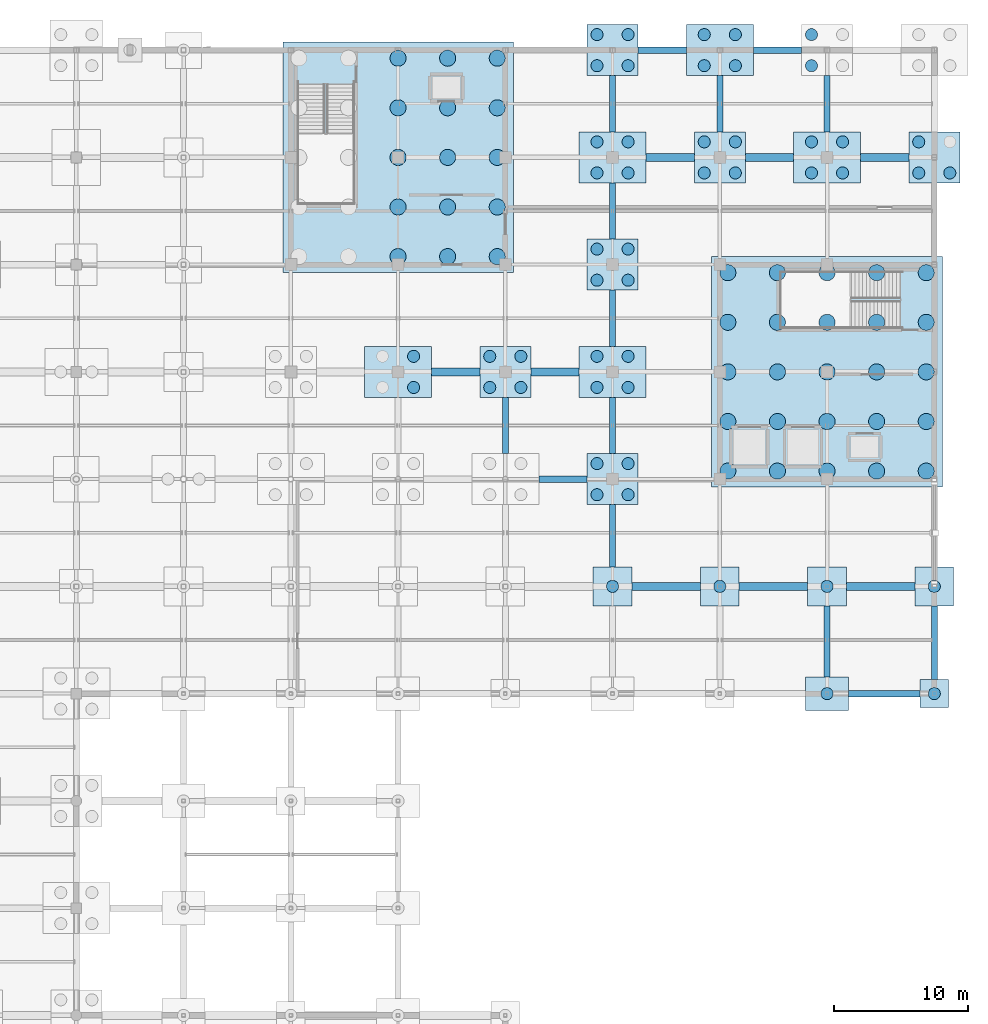
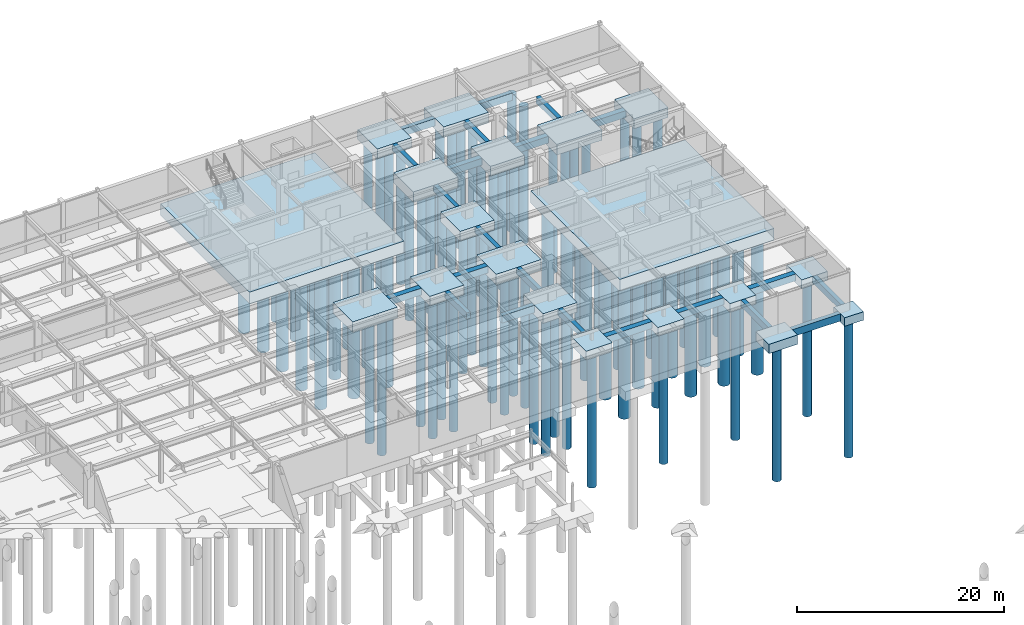
# One storey, part 11 of 105: 89 piles, 41 footings.
"""IFC4 building model written with IfcOpenShell, lengths in metres."""

from ifc_helpers import new_model, si_unit, direction, frame, origin, origin_2d, place, context, subcontext, project, spatial, rectangle, circle, extrude, material, material_profile, profile_set, type_object, element, save


model = new_model("IFC4")

# Units and contexts
model_context = context("Model", 3, precision=1e-05, world=origin(), true_north=direction((0.0, 1.0)))
body_context = subcontext(model_context, "Body", "Model", "MODEL_VIEW")
ifc_project = project(units=[si_unit("LENGTHUNIT", "METRE"), si_unit("AREAUNIT", "SQUARE_METRE"), si_unit("VOLUMEUNIT", "CUBIC_METRE"), si_unit("PLANEANGLEUNIT", "RADIAN"), si_unit("MASSUNIT", "GRAM", prefix="KILO")], contexts=[model_context])

# Site, building, storey
site_placement = place(None, origin())
site = spatial("IfcSite", under=ifc_project, at=site_placement, CompositionType="ELEMENT")
building_placement = place(site_placement, origin())
building = spatial("IfcBuilding", under=site, at=building_placement, Name="Solmirada Galleria", CompositionType="ELEMENT")
storey_placement = place(building_placement, frame((0.0, 0.0, -4.800048828125)))
storey = spatial("IfcBuildingStorey", under=building, at=storey_placement, Name="B1", CompositionType="ELEMENT", Elevation=-4.800048828125)

# Footings
ifc_material_1 = material(Name="Concrete C35/45", Category="concrete")
footing_type_1 = type_object("IfcFootingType", Name="PC-01", PredefinedType="PILE_CAP", material=ifc_material_1)
footing_1_placement = place(storey_placement, frame((176.0, 72.0, -1.0), z_axis=(0.0, 0.0, 1.0), x_axis=(1.0, 0.0, 0.0)))
element("IfcFooting", 1, at=footing_1_placement, inside=storey, type_object=footing_type_1, Name="Pile cap at (176.0, 72.0)", PredefinedType="PILE_CAP", context=body_context, shape_type="SweptSolid", body=[
    extrude(rectangle(XDim=2.10009765625, YDim=2.10009765625, at=origin_2d()), origin(), (0.0, 0.0, 1.0), 1.0),
])
footing_type_2 = type_object("IfcFootingType", Name="PC-03", PredefinedType="PILE_CAP", material=ifc_material_1)
for number, where, z_axis, x_axis, name in (
    (2, (152.0, 80.0, -1.0498046875), (0.0, 0.0, 1.0), (1.0, 0.0, 0.0), "Pile cap at (152.0, 80.0)"),
    (3, (160.0, 80.0, -1.0498046875), (0.0, 0.0, 1.0), (1.0, 0.0, 0.0), "Pile cap at (160.0, 80.0)"),
    (4, (168.0, 80.0, -1.0498046875), (0.0, 0.0, 1.0), (1.0, 0.0, 0.0), "Pile cap at (168.0, 80.0)"),
    (5, (176.0, 80.0, -1.0498046875), (0.0, 0.0, 1.0), (1.0, 0.0, 0.0), "Pile cap at (176.0, 80.0)"),
):
    element("IfcFooting", number, at=place(storey_placement, frame(where, z_axis=z_axis, x_axis=x_axis)), inside=storey, type_object=footing_type_2, Name=name, PredefinedType="PILE_CAP", context=body_context, shape_type="SweptSolid", body=[
        extrude(rectangle(XDim=2.89990234375, YDim=2.89990234375, at=origin_2d()), origin(), (0.0, 0.0, 1.0), 1.050048828125),
    ])
footing_type_3 = type_object("IfcFootingType", Name="PC-05", PredefinedType="PILE_CAP", material=ifc_material_1)
for number, where, z_axis, x_axis, name in (
    (6, (144.0, 96.0, -1.14990234375), (0.0, 0.0, 1.0), (1.0, 0.0, 0.0), "Pile cap at (144.0, 96.0)"),
    (7, (152.0, 88.0, -1.14990234375), (0.0, 0.0, 1.0), (1.0, 0.0, 0.0), "Pile cap at (152.0, 88.0)"),
    (8, (152.0, 104.0, -1.14990234375), (0.0, 0.0, 1.0), (1.0, 0.0, 0.0), "Pile cap at (152.0, 104.0)"),
    (9, (152.0, 120.0, -1.14990234375), (0.0, 0.0, 1.0), (1.0, 0.0, 0.0), "Pile cap at (152.0, 120.0)"),
    (10, (160.0, 112.0, -1.14990234375), (0.0, 0.0, 1.0), (1.0, 0.0, 0.0), "Pile cap at (160.0, 112.0)"),
    (11, (176.0, 112.0, -1.14990234375), (0.0, 0.0, 1.0), (1.0, 0.0, 0.0), "Pile cap at (176.0, 112.0)"),
):
    element("IfcFooting", number, at=place(storey_placement, frame(where, z_axis=z_axis, x_axis=x_axis)), inside=storey, type_object=footing_type_3, Name=name, PredefinedType="PILE_CAP", context=body_context, shape_type="SweptSolid", body=[
        extrude(rectangle(XDim=3.800048828125, YDim=3.800048828125, at=origin_2d()), origin(), (0.0, 0.0, 1.0), 1.14990234375),
    ])
footing_type_4 = type_object("IfcFootingType", Name="PC-09", PredefinedType="PILE_CAP", material=ifc_material_1)
for number, where, z_axis, x_axis, name in (
    (12, (136.0, 96.0, -1.25), (0.0, 0.0, 1.0), (1.0, 0.0, 0.0), "Pile cap at (136.0, 96.0)"),
    (13, (152.0, 96.0, -1.25), (0.0, 0.0, 1.0), (1.0, 0.0, 0.0), "Pile cap at (152.0, 96.0)"),
    (14, (152.0, 112.0, -1.25), (0.0, 0.0, 1.0), (1.0, 0.0, 0.0), "Pile cap at (152.0, 112.0)"),
    (15, (160.0, 120.0, -1.25), (0.0, 0.0, 1.0), (1.0, 0.0, 0.0), "Pile cap at (160.0, 120.0)"),
    (16, (168.0, 112.0, -1.25), (0.0, 0.0, 1.0), (1.0, 0.0, 0.0), "Pile cap at (168.0, 112.0)"),
):
    element("IfcFooting", number, at=place(storey_placement, frame(where, z_axis=z_axis, x_axis=x_axis)), inside=storey, type_object=footing_type_4, Name=name, PredefinedType="PILE_CAP", context=body_context, shape_type="SweptSolid", body=[
        extrude(rectangle(XDim=5.0, YDim=3.800048828125, at=origin_2d()), origin(), (0.0, 0.0, 1.0), 1.25),
    ])
footing_type_5 = type_object("IfcFootingType", Name="PC-10", PredefinedType="PILE_CAP", material=ifc_material_1)
footing_2_placement = place(storey_placement, frame((168.0, 72.0, -1.10009765625), z_axis=(0.0, 0.0, 1.0), x_axis=(1.0, 0.0, 0.0)))
element("IfcFooting", 17, at=footing_2_placement, inside=storey, type_object=footing_type_5, Name="Pile cap at (168.0, 72.0)", PredefinedType="PILE_CAP", context=body_context, shape_type="SweptSolid", body=[
    extrude(rectangle(XDim=3.199951171875, YDim=2.5, at=origin_2d()), origin(), (0.0, 0.0, 1.0), 1.10009765625),
])
footing_type_6 = type_object("IfcFootingType", Name="PC-13", PredefinedType="PILE_CAP", material=ifc_material_1)
footing_3_placement = place(storey_placement, frame((136.0, 112.0, -1.39990234375), z_axis=(0.0, 0.0, 1.0), x_axis=(1.0, 0.0, 0.0)))
element("IfcFooting", 18, at=footing_3_placement, inside=storey, type_object=footing_type_6, Name="North Avenue High-Rise Core combined pile cap", PredefinedType="PILE_CAP", context=body_context, shape_type="SweptSolid", body=[
    extrude(rectangle(XDim=17.199951171875, YDim=17.199951171875, at=origin_2d()), origin(), (0.0, 0.0, 1.0), 1.39990234375),
])
footing_type_7 = type_object("IfcFootingType", Name="PC-14", PredefinedType="PILE_CAP", material=ifc_material_1)
footing_4_placement = place(storey_placement, frame((168.0, 96.0, -1.39990234375), z_axis=(0.0, 0.0, 1.0), x_axis=(1.0, 0.0, 0.0)))
element("IfcFooting", 19, at=footing_4_placement, inside=storey, type_object=footing_type_7, Name="East Avenue High-Rise and Freight Core combined pile cap", PredefinedType="PILE_CAP", context=body_context, shape_type="SweptSolid", body=[
    extrude(rectangle(XDim=17.199951171875, YDim=17.199951171875, at=origin_2d()), origin(), (0.0, 0.0, 1.0), 1.39990234375),
])

# Piles
ifc_material_2 = material(Name="Concrete C40/50", Category="concrete")
ifc_material_profile_1 = material_profile(ifc_material_2, circle(Radius=0.60009765625, at=origin_2d()), Name="PILE1200")
ifc_profile_set_1 = profile_set([ifc_material_profile_1], Name="Concrete C40/50")
pile_type_1 = type_object("IfcPileType", Name="PILE-1200", PredefinedType="BORED", material=ifc_profile_set_1)
for number, where, z_axis, x_axis, name in (
    (20, (136.0, 104.60009765625, -1.300048828125), (0.0, 0.0, -1.0), (1.0, 0.0, 0.0), "Tampa limestone bored pile C3-11"),
    (21, (136.0, 108.300048828125, -1.300048828125), (0.0, 0.0, -1.0), (1.0, 0.0, 0.0), "Tampa limestone bored pile C3-12"),
    (22, (136.0, 112.0, -1.300048828125), (0.0, 0.0, -1.0), (1.0, 0.0, 0.0), "Tampa limestone bored pile C3-13"),
    (23, (136.0, 115.699951171875, -1.300048828125), (0.0, 0.0, -1.0), (1.0, 0.0, 0.0), "Tampa limestone bored pile C3-14"),
    (24, (136.0, 119.39990234375, -1.300048828125), (0.0, 0.0, -1.0), (1.0, 0.0, 0.0), "Tampa limestone bored pile C3-15"),
    (25, (139.699951171875, 104.60009765625, -1.300048828125), (0.0, 0.0, -1.0), (1.0, 0.0, 0.0), "Tampa limestone bored pile C3-16"),
    (26, (139.699951171875, 108.300048828125, -1.300048828125), (0.0, 0.0, -1.0), (1.0, 0.0, 0.0), "Tampa limestone bored pile C3-17"),
    (27, (139.699951171875, 112.0, -1.300048828125), (0.0, 0.0, -1.0), (1.0, 0.0, 0.0), "Tampa limestone bored pile C3-18"),
    (28, (139.699951171875, 115.699951171875, -1.300048828125), (0.0, 0.0, -1.0), (1.0, 0.0, 0.0), "Tampa limestone bored pile C3-19"),
    (29, (139.699951171875, 119.39990234375, -1.300048828125), (0.0, 0.0, -1.0), (1.0, 0.0, 0.0), "Tampa limestone bored pile C3-20"),
    (30, (143.39990234375, 104.60009765625, -1.300048828125), (0.0, 0.0, -1.0), (1.0, 0.0, 0.0), "Tampa limestone bored pile C3-21"),
    (31, (143.39990234375, 108.300048828125, -1.300048828125), (0.0, 0.0, -1.0), (1.0, 0.0, 0.0), "Tampa limestone bored pile C3-22"),
    (32, (143.39990234375, 112.0, -1.300048828125), (0.0, 0.0, -1.0), (1.0, 0.0, 0.0), "Tampa limestone bored pile C3-23"),
    (33, (143.39990234375, 115.699951171875, -1.300048828125), (0.0, 0.0, -1.0), (1.0, 0.0, 0.0), "Tampa limestone bored pile C3-24"),
    (34, (143.39990234375, 119.39990234375, -1.300048828125), (0.0, 0.0, -1.0), (1.0, 0.0, 0.0), "Tampa limestone bored pile C3-25"),
    (35, (160.60009765625, 88.60009765625, -1.300048828125), (0.0, 0.0, -1.0), (1.0, 0.0, 0.0), "Tampa limestone bored pile C4-01"),
    (36, (160.60009765625, 92.300048828125, -1.300048828125), (0.0, 0.0, -1.0), (1.0, 0.0, 0.0), "Tampa limestone bored pile C4-02"),
    (37, (160.60009765625, 96.0, -1.300048828125), (0.0, 0.0, -1.0), (1.0, 0.0, 0.0), "Tampa limestone bored pile C4-03"),
    (38, (160.60009765625, 99.699951171875, -1.300048828125), (0.0, 0.0, -1.0), (1.0, 0.0, 0.0), "Tampa limestone bored pile C4-04"),
    (39, (160.60009765625, 103.39990234375, -1.300048828125), (0.0, 0.0, -1.0), (1.0, 0.0, 0.0), "Tampa limestone bored pile C4-05"),
    (40, (164.300048828125, 88.60009765625, -1.300048828125), (0.0, 0.0, -1.0), (1.0, 0.0, 0.0), "Tampa limestone bored pile C4-06"),
    (41, (164.300048828125, 92.300048828125, -1.300048828125), (0.0, 0.0, -1.0), (1.0, 0.0, 0.0), "Tampa limestone bored pile C4-07"),
    (42, (164.300048828125, 96.0, -1.300048828125), (0.0, 0.0, -1.0), (1.0, 0.0, 0.0), "Tampa limestone bored pile C4-08"),
    (43, (164.300048828125, 99.699951171875, -1.300048828125), (0.0, 0.0, -1.0), (1.0, 0.0, 0.0), "Tampa limestone bored pile C4-09"),
    (44, (164.300048828125, 103.39990234375, -1.300048828125), (0.0, 0.0, -1.0), (1.0, 0.0, 0.0), "Tampa limestone bored pile C4-10"),
    (45, (168.0, 88.60009765625, -1.300048828125), (0.0, 0.0, -1.0), (1.0, 0.0, 0.0), "Tampa limestone bored pile C4-11"),
    (46, (168.0, 92.300048828125, -1.300048828125), (0.0, 0.0, -1.0), (1.0, 0.0, 0.0), "Tampa limestone bored pile C4-12"),
    (47, (168.0, 96.0, -1.300048828125), (0.0, 0.0, -1.0), (1.0, 0.0, 0.0), "Tampa limestone bored pile C4-13"),
    (48, (168.0, 99.699951171875, -1.300048828125), (0.0, 0.0, -1.0), (1.0, 0.0, 0.0), "Tampa limestone bored pile C4-14"),
    (49, (168.0, 103.39990234375, -1.300048828125), (0.0, 0.0, -1.0), (1.0, 0.0, 0.0), "Tampa limestone bored pile C4-15"),
    (50, (171.699951171875, 88.60009765625, -1.300048828125), (0.0, 0.0, -1.0), (1.0, 0.0, 0.0), "Tampa limestone bored pile C4-16"),
    (51, (171.699951171875, 92.300048828125, -1.300048828125), (0.0, 0.0, -1.0), (1.0, 0.0, 0.0), "Tampa limestone bored pile C4-17"),
    (52, (171.699951171875, 96.0, -1.300048828125), (0.0, 0.0, -1.0), (1.0, 0.0, 0.0), "Tampa limestone bored pile C4-18"),
    (53, (171.699951171875, 99.699951171875, -1.300048828125), (0.0, 0.0, -1.0), (1.0, 0.0, 0.0), "Tampa limestone bored pile C4-19"),
    (54, (171.699951171875, 103.39990234375, -1.300048828125), (0.0, 0.0, -1.0), (1.0, 0.0, 0.0), "Tampa limestone bored pile C4-20"),
    (55, (175.39990234375, 88.60009765625, -1.300048828125), (0.0, 0.0, -1.0), (1.0, 0.0, 0.0), "Tampa limestone bored pile C4-21"),
    (56, (175.39990234375, 92.300048828125, -1.300048828125), (0.0, 0.0, -1.0), (1.0, 0.0, 0.0), "Tampa limestone bored pile C4-22"),
    (57, (175.39990234375, 96.0, -1.300048828125), (0.0, 0.0, -1.0), (1.0, 0.0, 0.0), "Tampa limestone bored pile C4-23"),
    (58, (175.39990234375, 99.699951171875, -1.300048828125), (0.0, 0.0, -1.0), (1.0, 0.0, 0.0), "Tampa limestone bored pile C4-24"),
    (59, (175.39990234375, 103.39990234375, -1.300048828125), (0.0, 0.0, -1.0), (1.0, 0.0, 0.0), "Tampa limestone bored pile C4-25"),
):
    element("IfcPile", number, at=place(storey_placement, frame(where, z_axis=z_axis, x_axis=x_axis)), inside=storey, type_object=pile_type_1, Name=name, PredefinedType="BORED", context=body_context, shape_type="SweptSolid", body=[
        extrude(circle(Radius=0.60009765625, at=origin_2d()), origin(), (0.0, 0.0, 1.0), 15.89990234375),
    ])
ifc_material_profile_2 = material_profile(ifc_material_2, circle(Radius=0.449951171875, at=origin_2d()), Name="PILE900")
ifc_profile_set_2 = profile_set([ifc_material_profile_2], Name="Concrete C40/50")
pile_type_2 = type_object("IfcPileType", Name="PILE-900", PredefinedType="BORED", material=ifc_profile_set_2)
for number, where, z_axis, x_axis, name in (
    (60, (137.159912109375, 94.840087890625, -1.14990234375), (0.0, 0.0, -1.0), (1.0, 0.0, 0.0), "Bored pile at (137.16, 94.84)"),
    (61, (137.159912109375, 97.159912109375, -1.14990234375), (0.0, 0.0, -1.0), (1.0, 0.0, 0.0), "Bored pile at (137.16, 97.16)"),
):
    element("IfcPile", number, at=place(storey_placement, frame(where, z_axis=z_axis, x_axis=x_axis)), inside=storey, type_object=pile_type_2, Name=name, PredefinedType="BORED", context=body_context, shape_type="SweptSolid", body=[
        extrude(circle(Radius=0.449951171875, at=origin_2d()), origin(), (0.0, 0.0, 1.0), 16.050048828125),
    ])
for number, where, z_axis, x_axis, name in (
    (62, (142.840087890625, 94.840087890625, -1.050048828125), (0.0, 0.0, -1.0), (1.0, 0.0, 0.0), "Bored pile at (142.84, 94.84)"),
    (63, (145.159912109375, 94.840087890625, -1.050048828125), (0.0, 0.0, -1.0), (1.0, 0.0, 0.0), "Bored pile at (145.16, 94.84)"),
    (64, (142.840087890625, 97.159912109375, -1.050048828125), (0.0, 0.0, -1.0), (1.0, 0.0, 0.0), "Bored pile at (142.84, 97.16)"),
    (65, (145.159912109375, 97.159912109375, -1.050048828125), (0.0, 0.0, -1.0), (1.0, 0.0, 0.0), "Bored pile at (145.16, 97.16)"),
):
    element("IfcPile", number, at=place(storey_placement, frame(where, z_axis=z_axis, x_axis=x_axis)), inside=storey, type_object=pile_type_2, Name=name, PredefinedType="BORED", context=body_context, shape_type="SweptSolid", body=[
        extrude(circle(Radius=0.449951171875, at=origin_2d()), origin(), (0.0, 0.0, 1.0), 16.14990234375),
    ])
pile_1_placement = place(storey_placement, frame((152.0, 80.0, -0.949951171875), z_axis=(0.0, 0.0, -1.0), x_axis=(1.0, 0.0, 0.0)))
element("IfcPile", 66, at=pile_1_placement, inside=storey, type_object=pile_type_2, Name="Bored pile at (152.00, 80.00)", PredefinedType="BORED", context=body_context, shape_type="SweptSolid", body=[
    extrude(circle(Radius=0.449951171875, at=origin_2d()), origin(), (0.0, 0.0, 1.0), 16.25),
])
for number, where, z_axis, x_axis, name in (
    (67, (150.840087890625, 86.840087890625, -1.050048828125), (0.0, 0.0, -1.0), (1.0, 0.0, 0.0), "Bored pile at (150.84, 86.84)"),
    (68, (153.159912109375, 86.840087890625, -1.050048828125), (0.0, 0.0, -1.0), (1.0, 0.0, 0.0), "Bored pile at (153.16, 86.84)"),
    (69, (150.840087890625, 89.159912109375, -1.050048828125), (0.0, 0.0, -1.0), (1.0, 0.0, 0.0), "Bored pile at (150.84, 89.16)"),
    (70, (153.159912109375, 89.159912109375, -1.050048828125), (0.0, 0.0, -1.0), (1.0, 0.0, 0.0), "Bored pile at (153.16, 89.16)"),
):
    element("IfcPile", number, at=place(storey_placement, frame(where, z_axis=z_axis, x_axis=x_axis)), inside=storey, type_object=pile_type_2, Name=name, PredefinedType="BORED", context=body_context, shape_type="SweptSolid", body=[
        extrude(circle(Radius=0.449951171875, at=origin_2d()), origin(), (0.0, 0.0, 1.0), 16.14990234375),
    ])
for number, where, z_axis, x_axis, name in (
    (71, (150.840087890625, 94.840087890625, -1.14990234375), (0.0, 0.0, -1.0), (1.0, 0.0, 0.0), "Bored pile at (150.84, 94.84)"),
    (72, (153.159912109375, 94.840087890625, -1.14990234375), (0.0, 0.0, -1.0), (1.0, 0.0, 0.0), "Bored pile at (153.16, 94.84)"),
    (73, (150.840087890625, 97.159912109375, -1.14990234375), (0.0, 0.0, -1.0), (1.0, 0.0, 0.0), "Bored pile at (150.84, 97.16)"),
    (74, (153.159912109375, 97.159912109375, -1.14990234375), (0.0, 0.0, -1.0), (1.0, 0.0, 0.0), "Bored pile at (153.16, 97.16)"),
):
    element("IfcPile", number, at=place(storey_placement, frame(where, z_axis=z_axis, x_axis=x_axis)), inside=storey, type_object=pile_type_2, Name=name, PredefinedType="BORED", context=body_context, shape_type="SweptSolid", body=[
        extrude(circle(Radius=0.449951171875, at=origin_2d()), origin(), (0.0, 0.0, 1.0), 16.050048828125),
    ])
for number, where, z_axis, x_axis, name in (
    (75, (150.840087890625, 102.840087890625, -1.050048828125), (0.0, 0.0, -1.0), (1.0, 0.0, 0.0), "Bored pile at (150.84, 102.84)"),
    (76, (153.159912109375, 102.840087890625, -1.050048828125), (0.0, 0.0, -1.0), (1.0, 0.0, 0.0), "Bored pile at (153.16, 102.84)"),
    (77, (150.840087890625, 105.159912109375, -1.050048828125), (0.0, 0.0, -1.0), (1.0, 0.0, 0.0), "Bored pile at (150.84, 105.16)"),
    (78, (153.159912109375, 105.159912109375, -1.050048828125), (0.0, 0.0, -1.0), (1.0, 0.0, 0.0), "Bored pile at (153.16, 105.16)"),
):
    element("IfcPile", number, at=place(storey_placement, frame(where, z_axis=z_axis, x_axis=x_axis)), inside=storey, type_object=pile_type_2, Name=name, PredefinedType="BORED", context=body_context, shape_type="SweptSolid", body=[
        extrude(circle(Radius=0.449951171875, at=origin_2d()), origin(), (0.0, 0.0, 1.0), 16.14990234375),
    ])
for number, where, z_axis, x_axis, name in (
    (79, (150.840087890625, 110.840087890625, -1.14990234375), (0.0, 0.0, -1.0), (1.0, 0.0, 0.0), "Bored pile at (150.84, 110.84)"),
    (80, (153.159912109375, 110.840087890625, -1.14990234375), (0.0, 0.0, -1.0), (1.0, 0.0, 0.0), "Bored pile at (153.16, 110.84)"),
    (81, (150.840087890625, 113.159912109375, -1.14990234375), (0.0, 0.0, -1.0), (1.0, 0.0, 0.0), "Bored pile at (150.84, 113.16)"),
    (82, (153.159912109375, 113.159912109375, -1.14990234375), (0.0, 0.0, -1.0), (1.0, 0.0, 0.0), "Bored pile at (153.16, 113.16)"),
):
    element("IfcPile", number, at=place(storey_placement, frame(where, z_axis=z_axis, x_axis=x_axis)), inside=storey, type_object=pile_type_2, Name=name, PredefinedType="BORED", context=body_context, shape_type="SweptSolid", body=[
        extrude(circle(Radius=0.449951171875, at=origin_2d()), origin(), (0.0, 0.0, 1.0), 16.050048828125),
    ])
for number, where, z_axis, x_axis, name in (
    (83, (150.840087890625, 118.840087890625, -1.050048828125), (0.0, 0.0, -1.0), (1.0, 0.0, 0.0), "Bored pile at (150.84, 118.84)"),
    (84, (153.159912109375, 118.840087890625, -1.050048828125), (0.0, 0.0, -1.0), (1.0, 0.0, 0.0), "Bored pile at (153.16, 118.84)"),
    (85, (150.840087890625, 121.159912109375, -1.050048828125), (0.0, 0.0, -1.0), (1.0, 0.0, 0.0), "Bored pile at (150.84, 121.16)"),
    (86, (153.159912109375, 121.159912109375, -1.050048828125), (0.0, 0.0, -1.0), (1.0, 0.0, 0.0), "Bored pile at (153.16, 121.16)"),
):
    element("IfcPile", number, at=place(storey_placement, frame(where, z_axis=z_axis, x_axis=x_axis)), inside=storey, type_object=pile_type_2, Name=name, PredefinedType="BORED", context=body_context, shape_type="SweptSolid", body=[
        extrude(circle(Radius=0.449951171875, at=origin_2d()), origin(), (0.0, 0.0, 1.0), 16.14990234375),
    ])
pile_2_placement = place(storey_placement, frame((160.0, 80.0, -0.949951171875), z_axis=(0.0, 0.0, -1.0), x_axis=(1.0, 0.0, 0.0)))
element("IfcPile", 87, at=pile_2_placement, inside=storey, type_object=pile_type_2, Name="Bored pile at (160.00, 80.00)", PredefinedType="BORED", context=body_context, shape_type="SweptSolid", body=[
    extrude(circle(Radius=0.449951171875, at=origin_2d()), origin(), (0.0, 0.0, 1.0), 16.25),
])
for number, where, z_axis, x_axis, name in (
    (88, (158.840087890625, 110.840087890625, -1.050048828125), (0.0, 0.0, -1.0), (1.0, 0.0, 0.0), "Bored pile at (158.84, 110.84)"),
    (89, (161.159912109375, 110.840087890625, -1.050048828125), (0.0, 0.0, -1.0), (1.0, 0.0, 0.0), "Bored pile at (161.16, 110.84)"),
    (90, (158.840087890625, 113.159912109375, -1.050048828125), (0.0, 0.0, -1.0), (1.0, 0.0, 0.0), "Bored pile at (158.84, 113.16)"),
    (91, (161.159912109375, 113.159912109375, -1.050048828125), (0.0, 0.0, -1.0), (1.0, 0.0, 0.0), "Bored pile at (161.16, 113.16)"),
):
    element("IfcPile", number, at=place(storey_placement, frame(where, z_axis=z_axis, x_axis=x_axis)), inside=storey, type_object=pile_type_2, Name=name, PredefinedType="BORED", context=body_context, shape_type="SweptSolid", body=[
        extrude(circle(Radius=0.449951171875, at=origin_2d()), origin(), (0.0, 0.0, 1.0), 16.14990234375),
    ])
for number, where, z_axis, x_axis, name in (
    (92, (158.840087890625, 118.840087890625, -1.14990234375), (0.0, 0.0, -1.0), (1.0, 0.0, 0.0), "Bored pile at (158.84, 118.84)"),
    (93, (161.159912109375, 118.840087890625, -1.14990234375), (0.0, 0.0, -1.0), (1.0, 0.0, 0.0), "Bored pile at (161.16, 118.84)"),
    (94, (158.840087890625, 121.159912109375, -1.14990234375), (0.0, 0.0, -1.0), (1.0, 0.0, 0.0), "Bored pile at (158.84, 121.16)"),
    (95, (161.159912109375, 121.159912109375, -1.14990234375), (0.0, 0.0, -1.0), (1.0, 0.0, 0.0), "Bored pile at (161.16, 121.16)"),
):
    element("IfcPile", number, at=place(storey_placement, frame(where, z_axis=z_axis, x_axis=x_axis)), inside=storey, type_object=pile_type_2, Name=name, PredefinedType="BORED", context=body_context, shape_type="SweptSolid", body=[
        extrude(circle(Radius=0.449951171875, at=origin_2d()), origin(), (0.0, 0.0, 1.0), 16.050048828125),
    ])
pile_3_placement = place(storey_placement, frame((168.0, 72.0, -1.0), z_axis=(0.0, 0.0, -1.0), x_axis=(1.0, 0.0, 0.0)))
element("IfcPile", 96, at=pile_3_placement, inside=storey, type_object=pile_type_2, Name="Bored pile at (168.00, 72.00)", PredefinedType="BORED", context=body_context, shape_type="SweptSolid", body=[
    extrude(circle(Radius=0.449951171875, at=origin_2d()), origin(), (0.0, 0.0, 1.0), 16.199951171875),
])
pile_4_placement = place(storey_placement, frame((168.0, 80.0, -0.949951171875), z_axis=(0.0, 0.0, -1.0), x_axis=(1.0, 0.0, 0.0)))
element("IfcPile", 97, at=pile_4_placement, inside=storey, type_object=pile_type_2, Name="Bored pile at (168.00, 80.00)", PredefinedType="BORED", context=body_context, shape_type="SweptSolid", body=[
    extrude(circle(Radius=0.449951171875, at=origin_2d()), origin(), (0.0, 0.0, 1.0), 16.25),
])
for number, where, z_axis, x_axis, name in (
    (98, (166.840087890625, 110.840087890625, -1.14990234375), (0.0, 0.0, -1.0), (1.0, 0.0, 0.0), "Bored pile at (166.84, 110.84)"),
    (99, (169.159912109375, 110.840087890625, -1.14990234375), (0.0, 0.0, -1.0), (1.0, 0.0, 0.0), "Bored pile at (169.16, 110.84)"),
    (100, (166.840087890625, 113.159912109375, -1.14990234375), (0.0, 0.0, -1.0), (1.0, 0.0, 0.0), "Bored pile at (166.84, 113.16)"),
    (101, (169.159912109375, 113.159912109375, -1.14990234375), (0.0, 0.0, -1.0), (1.0, 0.0, 0.0), "Bored pile at (169.16, 113.16)"),
):
    element("IfcPile", number, at=place(storey_placement, frame(where, z_axis=z_axis, x_axis=x_axis)), inside=storey, type_object=pile_type_2, Name=name, PredefinedType="BORED", context=body_context, shape_type="SweptSolid", body=[
        extrude(circle(Radius=0.449951171875, at=origin_2d()), origin(), (0.0, 0.0, 1.0), 16.050048828125),
    ])
for number, where, z_axis, x_axis, name in (
    (102, (166.840087890625, 118.840087890625, -1.050048828125), (0.0, 0.0, -1.0), (1.0, 0.0, 0.0), "Bored pile at (166.84, 118.84)"),
    (103, (166.840087890625, 121.159912109375, -1.050048828125), (0.0, 0.0, -1.0), (1.0, 0.0, 0.0), "Bored pile at (166.84, 121.16)"),
):
    element("IfcPile", number, at=place(storey_placement, frame(where, z_axis=z_axis, x_axis=x_axis)), inside=storey, type_object=pile_type_2, Name=name, PredefinedType="BORED", context=body_context, shape_type="SweptSolid", body=[
        extrude(circle(Radius=0.449951171875, at=origin_2d()), origin(), (0.0, 0.0, 1.0), 16.14990234375),
    ])
pile_5_placement = place(storey_placement, frame((176.0, 72.0, -0.89990234375), z_axis=(0.0, 0.0, -1.0), x_axis=(1.0, 0.0, 0.0)))
element("IfcPile", 104, at=pile_5_placement, inside=storey, type_object=pile_type_2, Name="Bored pile at (176.00, 72.00)", PredefinedType="BORED", context=body_context, shape_type="SweptSolid", body=[
    extrude(circle(Radius=0.449951171875, at=origin_2d()), origin(), (0.0, 0.0, 1.0), 16.300048828125),
])
pile_6_placement = place(storey_placement, frame((176.0, 80.0, -0.949951171875), z_axis=(0.0, 0.0, -1.0), x_axis=(1.0, 0.0, 0.0)))
element("IfcPile", 105, at=pile_6_placement, inside=storey, type_object=pile_type_2, Name="Bored pile at (176.00, 80.00)", PredefinedType="BORED", context=body_context, shape_type="SweptSolid", body=[
    extrude(circle(Radius=0.449951171875, at=origin_2d()), origin(), (0.0, 0.0, 1.0), 16.25),
])
for number, where, z_axis, x_axis, name in (
    (106, (174.840087890625, 110.840087890625, -1.050048828125), (0.0, 0.0, -1.0), (1.0, 0.0, 0.0), "Bored pile at (174.84, 110.84)"),
    (107, (177.159912109375, 110.840087890625, -1.050048828125), (0.0, 0.0, -1.0), (1.0, 0.0, 0.0), "Bored pile at (177.16, 110.84)"),
    (108, (174.840087890625, 113.159912109375, -1.050048828125), (0.0, 0.0, -1.0), (1.0, 0.0, 0.0), "Bored pile at (174.84, 113.16)"),
):
    element("IfcPile", number, at=place(storey_placement, frame(where, z_axis=z_axis, x_axis=x_axis)), inside=storey, type_object=pile_type_2, Name=name, PredefinedType="BORED", context=body_context, shape_type="SweptSolid", body=[
        extrude(circle(Radius=0.449951171875, at=origin_2d()), origin(), (0.0, 0.0, 1.0), 16.14990234375),
    ])

# Footings
ifc_material_profile_3 = material_profile(ifc_material_1, rectangle(XDim=0.449951171875, YDim=0.75, at=origin_2d()), Name="RC750X450")
ifc_profile_set_3 = profile_set([ifc_material_profile_3], Name="Concrete C35/45")
footing_type_8 = type_object("IfcFootingType", Name="TB-750X450", PredefinedType="FOOTING_BEAM", material=ifc_profile_set_3)
footing_5_placement = place(storey_placement, frame((144.0, 89.89990234375, -0.375), z_axis=(0.0, 1.0, 0.0), x_axis=(-1.0, 0.0, 0.0)))
element("IfcFooting", 109, at=footing_5_placement, inside=storey, type_object=footing_type_8, Name="Foundation tie beam Y (144, 88..96)", PredefinedType="FOOTING_BEAM", context=body_context, shape_type="SweptSolid", body=[
    extrude(rectangle(XDim=0.449951171875, YDim=0.75, at=origin_2d()), origin(), (0.0, 0.0, 1.0), 4.2001953125),
])
footing_6_placement = place(storey_placement, frame((152.0, 81.449951171875, -0.375), z_axis=(0.0, 1.0, 0.0), x_axis=(-1.0, 0.0, 0.0)))
element("IfcFooting", 110, at=footing_6_placement, inside=storey, type_object=footing_type_8, Name="Foundation tie beam Y (152, 80..88)", PredefinedType="FOOTING_BEAM", context=body_context, shape_type="SweptSolid", body=[
    extrude(rectangle(XDim=0.449951171875, YDim=0.75, at=origin_2d()), origin(), (0.0, 0.0, 1.0), 4.650146484375),
])
for number, where, z_axis, x_axis, name in (
    (111, (152.0, 89.89990234375, -0.375), (0.0, 1.0, 0.0), (-1.0, 0.0, 0.0), "Foundation tie beam Y (152, 88..96)"),
    (112, (152.0, 97.89990234375, -0.375), (0.0, 1.0, 0.0), (-1.0, 0.0, 0.0), "Foundation tie beam Y (152, 96..104)"),
    (113, (152.0, 105.89990234375, -0.375), (0.0, 1.0, 0.0), (-1.0, 0.0, 0.0), "Foundation tie beam Y (152, 104..112)"),
    (114, (152.0, 113.89990234375, -0.375), (0.0, 1.0, 0.0), (-1.0, 0.0, 0.0), "Foundation tie beam Y (152, 112..120)"),
    (115, (160.0, 113.89990234375, -0.375), (0.0, 1.0, 0.0), (-1.0, 0.0, 0.0), "Foundation tie beam Y (160, 112..120)"),
):
    element("IfcFooting", number, at=place(storey_placement, frame(where, z_axis=z_axis, x_axis=x_axis)), inside=storey, type_object=footing_type_8, Name=name, PredefinedType="FOOTING_BEAM", context=body_context, shape_type="SweptSolid", body=[
        extrude(rectangle(XDim=0.449951171875, YDim=0.75, at=origin_2d()), origin(), (0.0, 0.0, 1.0), 4.2001953125),
    ])
footing_7_placement = place(storey_placement, frame((168.0, 73.25, -0.375), z_axis=(0.0, 1.0, 0.0), x_axis=(-1.0, 0.0, 0.0)))
element("IfcFooting", 116, at=footing_7_placement, inside=storey, type_object=footing_type_8, Name="Foundation tie beam Y (168, 72..80)", PredefinedType="FOOTING_BEAM", context=body_context, shape_type="SweptSolid", body=[
    extrude(rectangle(XDim=0.449951171875, YDim=0.75, at=origin_2d()), origin(), (0.0, 0.0, 1.0), 5.300048828125),
])
footing_8_placement = place(storey_placement, frame((168.0, 113.89990234375, -0.375), z_axis=(0.0, 1.0, 0.0), x_axis=(-1.0, 0.0, 0.0)))
element("IfcFooting", 117, at=footing_8_placement, inside=storey, type_object=footing_type_8, Name="Foundation tie beam Y (168, 112..120)", PredefinedType="FOOTING_BEAM", context=body_context, shape_type="SweptSolid", body=[
    extrude(rectangle(XDim=0.449951171875, YDim=0.75, at=origin_2d()), origin(), (0.0, 0.0, 1.0), 4.2001953125),
])
footing_9_placement = place(storey_placement, frame((176.0, 73.050048828125, -0.375), z_axis=(0.0, 1.0, 0.0), x_axis=(-1.0, 0.0, 0.0)))
element("IfcFooting", 118, at=footing_9_placement, inside=storey, type_object=footing_type_8, Name="Foundation tie beam Y (176, 72..80)", PredefinedType="FOOTING_BEAM", context=body_context, shape_type="SweptSolid", body=[
    extrude(rectangle(XDim=0.449951171875, YDim=0.75, at=origin_2d()), origin(), (0.0, 0.0, 1.0), 5.5),
])
ifc_material_profile_4 = material_profile(ifc_material_1, rectangle(XDim=0.60009765625, YDim=0.800048828125, at=origin_2d()), Name="RC800X600")
ifc_profile_set_4 = profile_set([ifc_material_profile_4], Name="Concrete C35/45")
footing_type_9 = type_object("IfcFootingType", Name="TB-800X600", PredefinedType="FOOTING_BEAM", material=ifc_profile_set_4)
for number, where, z_axis, x_axis, name in (
    (119, (138.5, 96.0, -0.39990234375), (1.0, 0.0, 0.0), (0.0, 1.0, 0.0), "Foundation tie beam X (136..144, 96)"),
    (120, (145.89990234375, 96.0, -0.39990234375), (1.0, 0.0, 0.0), (0.0, 1.0, 0.0), "Foundation tie beam X (144..152, 96)"),
):
    element("IfcFooting", number, at=place(storey_placement, frame(where, z_axis=z_axis, x_axis=x_axis)), inside=storey, type_object=footing_type_9, Name=name, PredefinedType="FOOTING_BEAM", context=body_context, shape_type="SweptSolid", body=[
        extrude(rectangle(XDim=0.60009765625, YDim=0.800048828125, at=origin_2d()), origin(), (0.0, 0.0, 1.0), 3.60009765625),
    ])
footing_10_placement = place(storey_placement, frame((153.449951171875, 80.0, -0.39990234375), z_axis=(1.0, 0.0, 0.0), x_axis=(0.0, 1.0, 0.0)))
element("IfcFooting", 121, at=footing_10_placement, inside=storey, type_object=footing_type_9, Name="Foundation tie beam X (152..160, 80)", PredefinedType="FOOTING_BEAM", context=body_context, shape_type="SweptSolid", body=[
    extrude(rectangle(XDim=0.60009765625, YDim=0.800048828125, at=origin_2d()), origin(), (0.0, 0.0, 1.0), 5.10009765625),
])
footing_11_placement = place(storey_placement, frame((154.5, 112.0, -0.39990234375), z_axis=(1.0, 0.0, 0.0), x_axis=(0.0, 1.0, 0.0)))
element("IfcFooting", 122, at=footing_11_placement, inside=storey, type_object=footing_type_9, Name="Foundation tie beam X (152..160, 112)", PredefinedType="FOOTING_BEAM", context=body_context, shape_type="SweptSolid", body=[
    extrude(rectangle(XDim=0.60009765625, YDim=0.800048828125, at=origin_2d()), origin(), (0.0, 0.0, 1.0), 3.60009765625),
])
footing_12_placement = place(storey_placement, frame((161.449951171875, 80.0, -0.39990234375), z_axis=(1.0, 0.0, 0.0), x_axis=(0.0, 1.0, 0.0)))
element("IfcFooting", 123, at=footing_12_placement, inside=storey, type_object=footing_type_9, Name="Foundation tie beam X (160..168, 80)", PredefinedType="FOOTING_BEAM", context=body_context, shape_type="SweptSolid", body=[
    extrude(rectangle(XDim=0.60009765625, YDim=0.800048828125, at=origin_2d()), origin(), (0.0, 0.0, 1.0), 5.10009765625),
])
footing_13_placement = place(storey_placement, frame((161.89990234375, 112.0, -0.39990234375), z_axis=(1.0, 0.0, 0.0), x_axis=(0.0, 1.0, 0.0)))
element("IfcFooting", 124, at=footing_13_placement, inside=storey, type_object=footing_type_9, Name="Foundation tie beam X (160..168, 112)", PredefinedType="FOOTING_BEAM", context=body_context, shape_type="SweptSolid", body=[
    extrude(rectangle(XDim=0.60009765625, YDim=0.800048828125, at=origin_2d()), origin(), (0.0, 0.0, 1.0), 3.60009765625),
])
footing_14_placement = place(storey_placement, frame((169.449951171875, 80.0, -0.39990234375), z_axis=(1.0, 0.0, 0.0), x_axis=(0.0, 1.0, 0.0)))
element("IfcFooting", 125, at=footing_14_placement, inside=storey, type_object=footing_type_9, Name="Foundation tie beam X (168..176, 80)", PredefinedType="FOOTING_BEAM", context=body_context, shape_type="SweptSolid", body=[
    extrude(rectangle(XDim=0.60009765625, YDim=0.800048828125, at=origin_2d()), origin(), (0.0, 0.0, 1.0), 5.10009765625),
])
footing_15_placement = place(storey_placement, frame((170.5, 112.0, -0.39990234375), z_axis=(1.0, 0.0, 0.0), x_axis=(0.0, 1.0, 0.0)))
element("IfcFooting", 126, at=footing_15_placement, inside=storey, type_object=footing_type_9, Name="Foundation tie beam X (168..176, 112)", PredefinedType="FOOTING_BEAM", context=body_context, shape_type="SweptSolid", body=[
    extrude(rectangle(XDim=0.60009765625, YDim=0.800048828125, at=origin_2d()), origin(), (0.0, 0.0, 1.0), 3.60009765625),
])
ifc_material_profile_5 = material_profile(ifc_material_1, rectangle(XDim=0.5, YDim=0.85009765625, at=origin_2d()), Name="RC850X500")
ifc_profile_set_5 = profile_set([ifc_material_profile_5], Name="Concrete C35/45")
footing_type_10 = type_object("IfcFootingType", Name="TB-850X500", PredefinedType="FOOTING_BEAM", material=ifc_profile_set_5)
for number, where, z_axis, x_axis, name in (
    (127, (146.5, 88.0, -0.425048828125), (1.0, 0.0, 0.0), (0.0, 1.0, 0.0), "Foundation tie beam X (144..152, 88)"),
    (128, (153.89990234375, 120.0, -0.425048828125), (1.0, 0.0, 0.0), (0.0, 1.0, 0.0), "Foundation tie beam X (152..160, 120)"),
    (129, (162.5, 120.0, -0.425048828125), (1.0, 0.0, 0.0), (0.0, 1.0, 0.0), "Foundation tie beam X (160..168, 120)"),
):
    element("IfcFooting", number, at=place(storey_placement, frame(where, z_axis=z_axis, x_axis=x_axis)), inside=storey, type_object=footing_type_10, Name=name, PredefinedType="FOOTING_BEAM", context=body_context, shape_type="SweptSolid", body=[
        extrude(rectangle(XDim=0.5, YDim=0.85009765625, at=origin_2d()), origin(), (0.0, 0.0, 1.0), 3.60009765625),
    ])
footing_16_placement = place(storey_placement, frame((169.60009765625, 72.0, -0.425048828125), z_axis=(1.0, 0.0, 0.0), x_axis=(0.0, 1.0, 0.0)))
element("IfcFooting", 130, at=footing_16_placement, inside=storey, type_object=footing_type_10, Name="Foundation tie beam X (168..176, 72)", PredefinedType="FOOTING_BEAM", context=body_context, shape_type="SweptSolid", body=[
    extrude(rectangle(XDim=0.5, YDim=0.85009765625, at=origin_2d()), origin(), (0.0, 0.0, 1.0), 5.349853515625),
])

save(model, "model.ifc")
